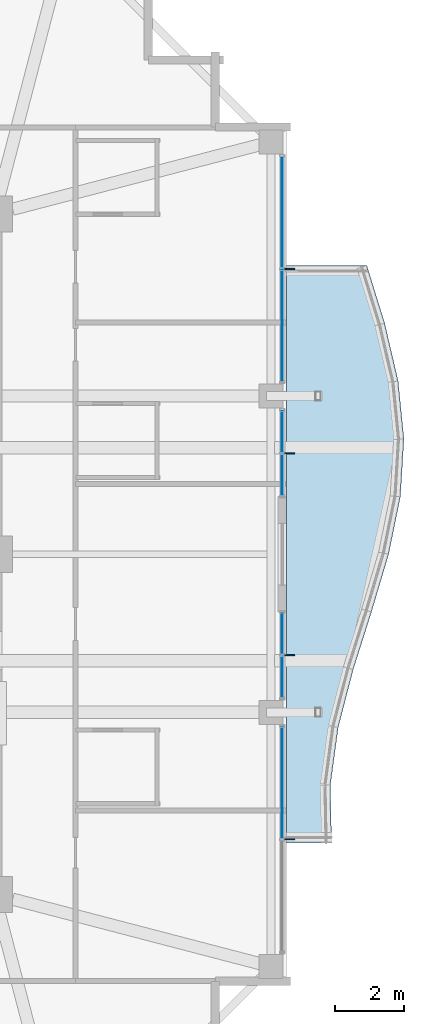
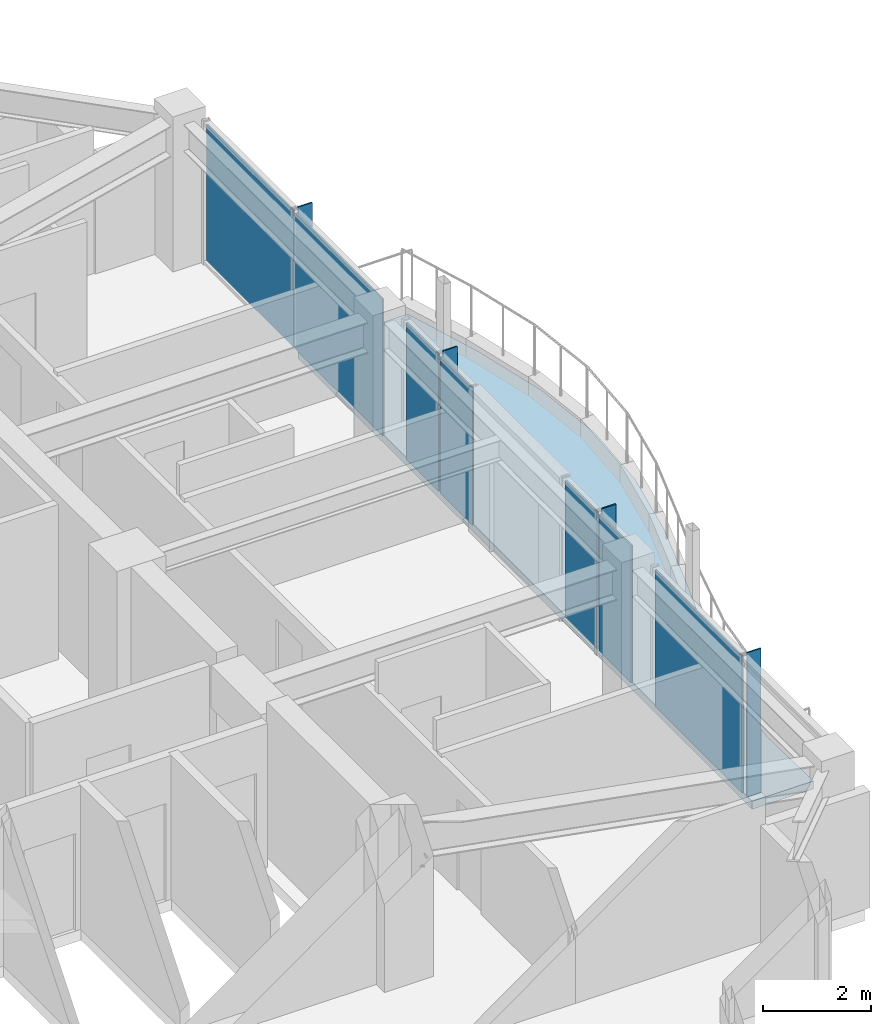
# One storey, part 22 of 29: 11 plates, 1 slab, 4 elements without a shape of their own.
"""IFC4 building model written with IfcOpenShell, lengths in metres."""

from ifc_helpers import new_model, si_unit, direction, frame, origin, origin_2d, place, context, subcontext, project, spatial, polyline, rectangle, outline, extrude, material, layer, layer_set, type_object, element, aggregate, save


model = new_model("IFC4")

# Units and contexts
model_context = context("Model", 3, precision=1e-05, world=origin(), true_north=direction((0.0, 1.0)))
body_context = subcontext(model_context, "Body", "Model", "MODEL_VIEW")
ifc_project = project(units=[si_unit("LENGTHUNIT", "METRE"), si_unit("AREAUNIT", "SQUARE_METRE"), si_unit("VOLUMEUNIT", "CUBIC_METRE"), si_unit("PLANEANGLEUNIT", "RADIAN"), si_unit("MASSUNIT", "GRAM", prefix="KILO")], contexts=[model_context])

# Site, building, storey
site_placement = place(None, origin())
site = spatial("IfcSite", under=ifc_project, at=site_placement, CompositionType="ELEMENT")
building_placement = place(site_placement, origin())
building = spatial("IfcBuilding", under=site, at=building_placement, Name="Kolvaren Belvedere", CompositionType="ELEMENT")
storey_placement = place(building_placement, frame((0.0, 0.0, 244.39990234375)))
storey = spatial("IfcBuildingStorey", under=building, at=storey_placement, Name="L71", CompositionType="ELEMENT", Elevation=244.39990234375)

# Curtain wall, plates
ifc_material_1 = material(Name="Anodised pale-metal aluminium AA 6063-T6", Category="aluminium")
curtain_wall_type = type_object("IfcCurtainWallType", Name="CW-Z5-HIGH", PredefinedType="NOTDEFINED", material=ifc_material_1)
curtain_wall_1_placement = place(storey_placement, origin())
curtain_wall_1 = element("IfcCurtainWall", 1, at=curtain_wall_1_placement, inside=storey, type_object=curtain_wall_type, Name="L71 Unitised Curtain Wall FCW-L71-E1-B1", PredefinedType="NOTDEFINED")
ifc_material_2 = material(Name="Low-iron triple insulated glass", Category="glass")
ifc_layer_1 = layer(ifc_material_2, 0.028076171875)
ifc_layer_set_1 = layer_set([ifc_layer_1], Name="Low-iron triple insulated glass")
plate_type_1 = type_object("IfcPlateType", Name="CW-PNL-VIS28", PredefinedType="CURTAIN_PANEL", material=ifc_layer_set_1)
plate_1_placement = place(storey_placement, frame((18.280029296875, 9.947509765625, 0.080078125), z_axis=(0.0, 0.0, 1.0), x_axis=(0.0, -1.0, 0.0)))
plate_1 = element("IfcPlate", 2, at=plate_1_placement, type_object=plate_type_1, Name="FCW-L71-E1-B1 Vision Glazing Panel 1", PredefinedType="CURTAIN_PANEL", context=body_context, shape_type="SweptSolid", body=[
    extrude(rectangle(XDim=3.215087890625, YDim=0.028076171875, at=origin_2d()), origin(), (0.0, 0.0, 1.0), 3.090087890625),
])
plate_2_placement = place(storey_placement, frame((18.280029296875, 6.652587890625, 0.080078125), z_axis=(0.0, 0.0, 1.0), x_axis=(0.0, -1.0, 0.0)))
plate_2 = element("IfcPlate", 3, at=plate_2_placement, type_object=plate_type_1, Name="FCW-L71-E1-B1 Vision Glazing Panel 2", PredefinedType="CURTAIN_PANEL", context=body_context, shape_type="SweptSolid", body=[
    extrude(rectangle(XDim=3.215087890625, YDim=0.028076171875, at=origin_2d()), origin(), (0.0, 0.0, 1.0), 3.090087890625),
])
aggregate(curtain_wall_1, [plate_1, plate_2])

curtain_wall_2_placement = place(storey_placement, origin())
curtain_wall_2 = element("IfcCurtainWall", 4, at=curtain_wall_2_placement, inside=storey, type_object=curtain_wall_type, Name="L71 Unitised Curtain Wall FCW-L71-E1-B2", PredefinedType="NOTDEFINED")
plate_3_placement = place(storey_placement, frame((18.280029296875, 3.56640625, 0.080078125), z_axis=(0.0, 0.0, 1.0), x_axis=(0.0, -1.0, 0.0)))
plate_3 = element("IfcPlate", 5, at=plate_3_placement, type_object=plate_type_1, Name="FCW-L71-E1-B2 Vision Glazing Panel 1", PredefinedType="CURTAIN_PANEL", context=body_context, shape_type="SweptSolid", body=[
    extrude(rectangle(XDim=1.177490234375, YDim=0.028076171875, at=origin_2d()), origin(), (0.0, 0.0, 1.0), 3.090087890625),
])
plate_4_placement = place(storey_placement, frame((18.280029296875, 2.30859375, 0.080078125), z_axis=(0.0, 0.0, 1.0), x_axis=(0.0, -1.0, 0.0)))
plate_4 = element("IfcPlate", 6, at=plate_4_placement, type_object=plate_type_1, Name="FCW-L71-E1-B2 Vision Glazing Panel 2", PredefinedType="CURTAIN_PANEL", context=body_context, shape_type="SweptSolid", body=[
    extrude(rectangle(XDim=1.177490234375, YDim=0.028076171875, at=origin_2d()), origin(), (0.0, 0.0, 1.0), 3.090087890625),
])
aggregate(curtain_wall_2, [plate_3, plate_4])

curtain_wall_3_placement = place(storey_placement, origin())
curtain_wall_3 = element("IfcCurtainWall", 7, at=curtain_wall_3_placement, inside=storey, type_object=curtain_wall_type, Name="L71 Unitised Curtain Wall FCW-L71-E2-B1", PredefinedType="NOTDEFINED")
plate_5_placement = place(storey_placement, frame((18.280029296875, -2.30859375, 0.080078125), z_axis=(0.0, 0.0, 1.0), x_axis=(0.0, -1.0, 0.0)))
plate_5 = element("IfcPlate", 8, at=plate_5_placement, type_object=plate_type_1, Name="FCW-L71-E2-B1 Vision Glazing Panel 1", PredefinedType="CURTAIN_PANEL", context=body_context, shape_type="SweptSolid", body=[
    extrude(rectangle(XDim=1.177490234375, YDim=0.028076171875, at=origin_2d()), origin(), (0.0, 0.0, 1.0), 3.090087890625),
])
plate_6_placement = place(storey_placement, frame((18.280029296875, -3.56640625, 0.080078125), z_axis=(0.0, 0.0, 1.0), x_axis=(0.0, -1.0, 0.0)))
plate_6 = element("IfcPlate", 9, at=plate_6_placement, type_object=plate_type_1, Name="FCW-L71-E2-B1 Vision Glazing Panel 2", PredefinedType="CURTAIN_PANEL", context=body_context, shape_type="SweptSolid", body=[
    extrude(rectangle(XDim=1.177490234375, YDim=0.028076171875, at=origin_2d()), origin(), (0.0, 0.0, 1.0), 3.090087890625),
])
aggregate(curtain_wall_3, [plate_5, plate_6])

# Curtain wall, plate
curtain_wall_4_placement = place(storey_placement, origin())
curtain_wall_4 = element("IfcCurtainWall", 10, at=curtain_wall_4_placement, inside=storey, type_object=curtain_wall_type, Name="L71 Unitised Curtain Wall FCW-L71-E2-B2", PredefinedType="NOTDEFINED")
plate_7_placement = place(storey_placement, frame((18.280029296875, -6.652587890625, 0.080078125), z_axis=(0.0, 0.0, 1.0), x_axis=(0.0, -1.0, 0.0)))
plate_7 = element("IfcPlate", 11, at=plate_7_placement, type_object=plate_type_1, Name="FCW-L71-E2-B2 Vision Glazing Panel 1", PredefinedType="CURTAIN_PANEL", context=body_context, shape_type="SweptSolid", body=[
    extrude(rectangle(XDim=3.215087890625, YDim=0.028076171875, at=origin_2d()), origin(), (0.0, 0.0, 1.0), 3.090087890625),
])
aggregate(curtain_wall_4, [plate_7])

# Plates
ifc_material_3 = material(Name="Anodised pale-metal aluminium AA 6063-T6", Category="aluminium")
ifc_layer_2 = layer(ifc_material_3, 0.030029296875)
ifc_layer_set_2 = layer_set([ifc_layer_2], Name="Anodised pale-metal aluminium AA 6063-T6")
plate_type_2 = type_object("IfcPlateType", Name="FIN-VERT-300", PredefinedType="USERDEFINED", material=ifc_layer_set_2)
for number, where, z_axis, x_axis, name in (
    (12, (18.489990234375, 8.300048828125, 0.0), (0.0, 0.0, 1.0), (1.0, 0.0, 0.0), "L71 Pale-Metal Vertical Shading Fin FCW-L71-E1-B1-1"),
    (13, (18.489990234375, 2.9375, 0.0), (0.0, 0.0, 1.0), (1.0, 0.0, 0.0), "L71 Pale-Metal Vertical Shading Fin FCW-L71-E1-B2-1"),
    (14, (18.489990234375, -2.9375, 0.0), (0.0, 0.0, 1.0), (1.0, 0.0, 0.0), "L71 Pale-Metal Vertical Shading Fin FCW-L71-E2-B1-1"),
    (15, (18.489990234375, -8.300048828125, 0.0), (0.0, 0.0, 1.0), (1.0, 0.0, 0.0), "L71 Pale-Metal Vertical Shading Fin FCW-L71-E2-B2-1"),
):
    element("IfcPlate", number, at=place(storey_placement, frame(where, z_axis=z_axis, x_axis=x_axis)), inside=storey, type_object=plate_type_2, Name=name, ObjectType="VERTICAL FIN", PredefinedType="USERDEFINED", context=body_context, shape_type="SweptSolid", body=[
        extrude(rectangle(XDim=0.300048828125, YDim=0.030029296875, at=origin_2d()), origin(), (0.0, 0.0, 1.0), 3.25),
    ])

# Slab
ifc_material_4 = material(Name="Concrete C50/60", Category="concrete")
ifc_layer_3 = layer(ifc_material_4, 0.179931640625)
ifc_layer_set_3 = layer_set([ifc_layer_3], Name="Concrete C50/60")
slab_type = type_object("IfcSlabType", Name="SL-BAL-180", PredefinedType="FLOOR", material=ifc_layer_set_3)
slab_placement = place(storey_placement, frame((0.0, 0.0, -0.25)))
element("IfcSlab", 16, at=slab_placement, inside=storey, type_object=slab_type, Name="L71 Planted Balcony BAL-E", PredefinedType="FLOOR", context=body_context, shape_type="SweptSolid", body=[
    extrude(outline(polyline([(19.712890625, -8.39990234375), (19.67919921875, -6.719970703125), (19.90771484375, -5.0400390625), (20.34228515625, -3.360107421875), (20.87548828125, -1.679931640625), (21.374755859375, 0.0), (21.71728515625, 1.679931640625), (21.820068359375, 3.360107421875), (21.65185546875, 5.0400390625), (21.26025390625, 6.719970703125), (20.739990234375, 8.39990234375), (18.39990234375, 8.39990234375), (18.39990234375, 6.719970703125), (18.39990234375, 5.0400390625), (18.39990234375, 3.360107421875), (18.39990234375, 1.679931640625), (18.39990234375, 0.0), (18.39990234375, -1.679931640625), (18.39990234375, -3.360107421875), (18.39990234375, -5.0400390625), (18.39990234375, -6.719970703125), (18.39990234375, -8.39990234375), (19.712890625, -8.39990234375)])), origin(), (0.0, 0.0, 1.0), 0.18017578125),
])

save(model, "model.ifc")
